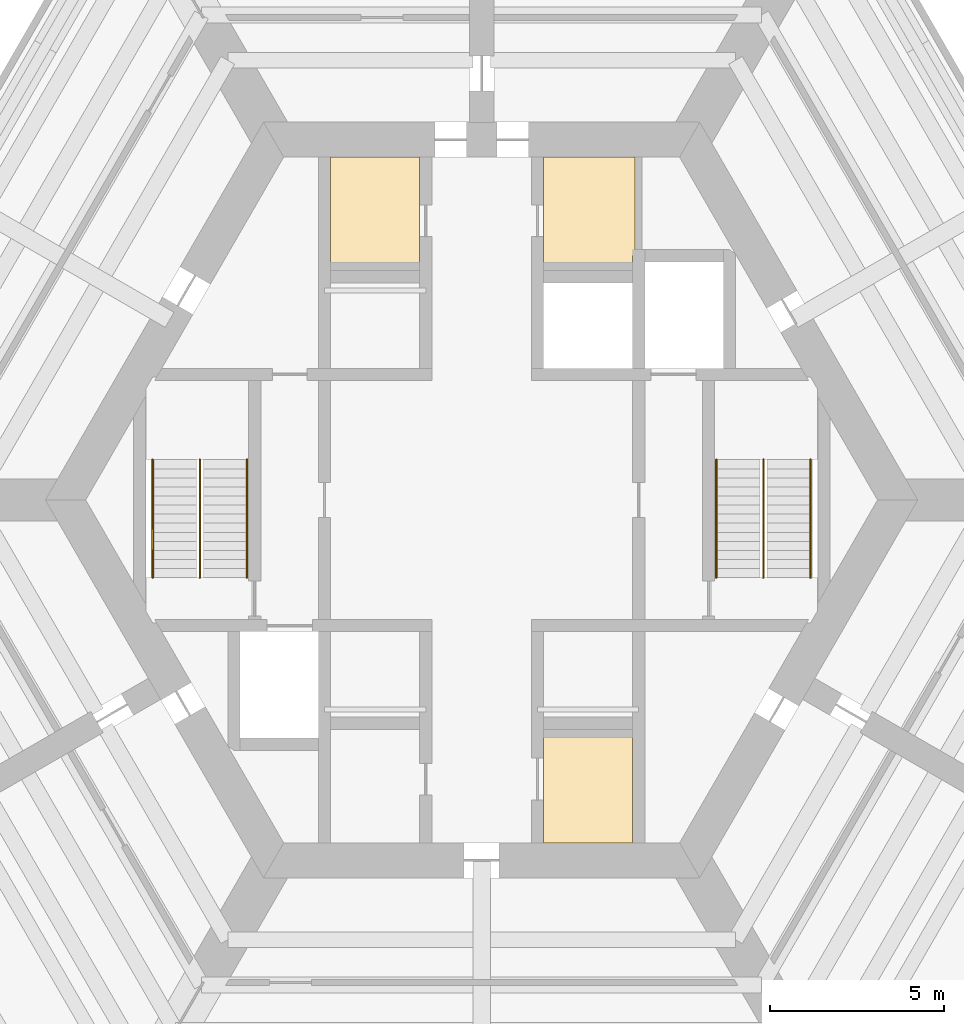
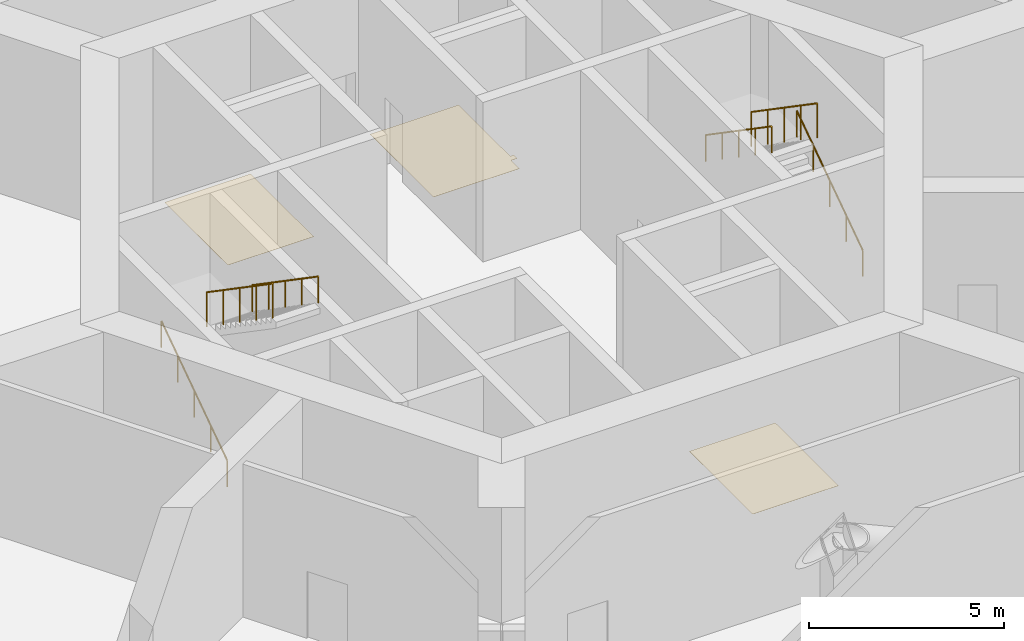
# One storey, part 8 of 8: 6 railings, 3 coverings.
"""IFC4 building model written with IfcOpenShell, lengths in metres."""

from ifc_helpers import new_model, si_unit, direction, frame, origin, origin_2d, place, context, subcontext, project, spatial, polyline, circle, outline, extrude, material, layer, layer_set, type_object, element, save


model = new_model("IFC4")

# Units and contexts
model_context = context("Model", 3, precision=1e-05, world=origin(), true_north=direction((0.0, 1.0)))
body_context = subcontext(model_context, "Body", "Model", "MODEL_VIEW")
ifc_project = project(units=[si_unit("LENGTHUNIT", "METRE"), si_unit("AREAUNIT", "SQUARE_METRE"), si_unit("VOLUMEUNIT", "CUBIC_METRE"), si_unit("PLANEANGLEUNIT", "RADIAN"), si_unit("MASSUNIT", "GRAM", prefix="KILO")], contexts=[model_context])

# Site, building, storey
site_placement = place(None, origin())
site = spatial("IfcSite", under=ifc_project, at=site_placement, CompositionType="ELEMENT")
building_placement = place(site_placement, origin())
building = spatial("IfcBuilding", under=site, at=building_placement, Name="Kasaneha Research Tower", CompositionType="ELEMENT")
storey_placement = place(building_placement, frame((0.0, 0.0, 203.300048828125)))
storey = spatial("IfcBuildingStorey", under=building, at=storey_placement, Name="L51", CompositionType="ELEMENT", Elevation=203.300048828125)

# Railings
ifc_material_1 = material(Name="Steel", Category="steel")
railing_type_1 = type_object("IfcRailingType", Name="Stair balustrade 1100", PredefinedType="GUARDRAIL", material=ifc_material_1)
for number, where, name in (
    (1, (8.074951171875, 1.155029296875, 2.678466796875), "Stair 1 balustrade L51"),
    (2, (-8.074951171875, 1.155029296875, 2.678466796875), "Stair 2 balustrade L51"),
):
    element("IfcRailing", number, at=place(storey_placement, frame(where)), inside=storey, type_object=railing_type_1, Name=name, PredefinedType="GUARDRAIL", context=body_context, shape_type="SweptSolid", body=[
        extrude(circle(Radius=0.02392578125, at=origin_2d()), frame((0.0, 0.0, 1.076171875), z_axis=(0.0, -0.824304150675, 0.566147213346), x_axis=(1.0, 0.0, 0.0)), (0.0, 0.0, 1.0), 4.1005859375),
        extrude(circle(Radius=0.02099609375, at=origin_2d()), origin(), (0.0, 0.0, 1.0), 1.052001953125),
        extrude(circle(Radius=0.02099609375, at=origin_2d()), frame((0.0, -0.844970703125, 0.580322265625)), (0.0, 0.0, 1.0), 1.052001953125),
        extrude(circle(Radius=0.02099609375, at=origin_2d()), frame((0.0, -1.68994140625, 1.16064453125)), (0.0, 0.0, 1.0), 1.052001953125),
        extrude(circle(Radius=0.02099609375, at=origin_2d()), frame((0.0, -2.53515625, 1.7412109375)), (0.0, 0.0, 1.0), 1.052001953125),
        extrude(circle(Radius=0.02099609375, at=origin_2d()), frame((0.0, -3.380126953125, 2.321533203125)), (0.0, 0.0, 1.0), 1.052001953125),
    ])
ifc_material_2 = material(Name="Steel", Category="steel")
railing_type_2 = type_object("IfcRailingType", Name="Stair handrail 850", PredefinedType="HANDRAIL", material=ifc_material_2)
railing_1_placement = place(storey_placement, frame((9.425048828125, -2.22509765625, 0.178466796875)))
element("IfcRailing", 3, at=railing_1_placement, inside=storey, type_object=railing_type_2, Name="Stair 1 handrail L51", PredefinedType="HANDRAIL", context=body_context, shape_type="SweptSolid", body=[
    extrude(circle(Radius=0.02392578125, at=origin_2d()), frame((0.0, 0.0, 0.826171875), z_axis=(0.0, 0.824304150675, 0.566147213346), x_axis=(-1.0, 0.0, 0.0)), (0.0, 0.0, 1.0), 4.1005859375),
    extrude(circle(Radius=0.02099609375, at=origin_2d()), origin(), (0.0, 0.0, 1.0), 0.802001953125),
    extrude(circle(Radius=0.02099609375, at=origin_2d()), frame((0.0, 0.844970703125, 0.580322265625)), (0.0, 0.0, 1.0), 0.802001953125),
    extrude(circle(Radius=0.02099609375, at=origin_2d()), frame((0.0, 1.68994140625, 1.16064453125)), (0.0, 0.0, 1.0), 0.802001953125),
    extrude(circle(Radius=0.02099609375, at=origin_2d()), frame((0.0, 2.53515625, 1.7412109375)), (0.0, 0.0, 1.0), 0.802001953125),
    extrude(circle(Radius=0.02099609375, at=origin_2d()), frame((0.0, 3.380126953125, 2.321533203125)), (0.0, 0.0, 1.0), 0.802001953125),
])
railing_2_placement = place(storey_placement, frame((6.72509765625, 1.155029296875, 2.678466796875)))
element("IfcRailing", 4, at=railing_2_placement, inside=storey, type_object=railing_type_2, Name="Stair 1 handrail L51", PredefinedType="HANDRAIL", context=body_context, shape_type="SweptSolid", body=[
    extrude(circle(Radius=0.02392578125, at=origin_2d()), frame((0.0, 0.0, 0.826171875), z_axis=(0.0, -0.824304150675, 0.566147213346), x_axis=(1.0, 0.0, 0.0)), (0.0, 0.0, 1.0), 4.1005859375),
    extrude(circle(Radius=0.02099609375, at=origin_2d()), origin(), (0.0, 0.0, 1.0), 0.802001953125),
    extrude(circle(Radius=0.02099609375, at=origin_2d()), frame((0.0, -0.844970703125, 0.580322265625)), (0.0, 0.0, 1.0), 0.802001953125),
    extrude(circle(Radius=0.02099609375, at=origin_2d()), frame((0.0, -1.68994140625, 1.16064453125)), (0.0, 0.0, 1.0), 0.802001953125),
    extrude(circle(Radius=0.02099609375, at=origin_2d()), frame((0.0, -2.53515625, 1.7412109375)), (0.0, 0.0, 1.0), 0.802001953125),
    extrude(circle(Radius=0.02099609375, at=origin_2d()), frame((0.0, -3.380126953125, 2.321533203125)), (0.0, 0.0, 1.0), 0.802001953125),
])
railing_3_placement = place(storey_placement, frame((-9.425048828125, -2.22509765625, 0.178466796875)))
element("IfcRailing", 5, at=railing_3_placement, inside=storey, type_object=railing_type_2, Name="Stair 2 handrail L51", PredefinedType="HANDRAIL", context=body_context, shape_type="SweptSolid", body=[
    extrude(circle(Radius=0.02392578125, at=origin_2d()), frame((0.0, 0.0, 0.826171875), z_axis=(0.0, 0.824304150675, 0.566147213346), x_axis=(-1.0, 0.0, 0.0)), (0.0, 0.0, 1.0), 4.1005859375),
    extrude(circle(Radius=0.02099609375, at=origin_2d()), origin(), (0.0, 0.0, 1.0), 0.802001953125),
    extrude(circle(Radius=0.02099609375, at=origin_2d()), frame((0.0, 0.844970703125, 0.580322265625)), (0.0, 0.0, 1.0), 0.802001953125),
    extrude(circle(Radius=0.02099609375, at=origin_2d()), frame((0.0, 1.68994140625, 1.16064453125)), (0.0, 0.0, 1.0), 0.802001953125),
    extrude(circle(Radius=0.02099609375, at=origin_2d()), frame((0.0, 2.53515625, 1.7412109375)), (0.0, 0.0, 1.0), 0.802001953125),
    extrude(circle(Radius=0.02099609375, at=origin_2d()), frame((0.0, 3.380126953125, 2.321533203125)), (0.0, 0.0, 1.0), 0.802001953125),
])
railing_4_placement = place(storey_placement, frame((-6.72509765625, 1.155029296875, 2.678466796875)))
element("IfcRailing", 6, at=railing_4_placement, inside=storey, type_object=railing_type_2, Name="Stair 2 handrail L51", PredefinedType="HANDRAIL", context=body_context, shape_type="SweptSolid", body=[
    extrude(circle(Radius=0.02392578125, at=origin_2d()), frame((0.0, 0.0, 0.826171875), z_axis=(0.0, -0.824304150675, 0.566147213346), x_axis=(1.0, 0.0, 0.0)), (0.0, 0.0, 1.0), 4.1005859375),
    extrude(circle(Radius=0.02099609375, at=origin_2d()), origin(), (0.0, 0.0, 1.0), 0.802001953125),
    extrude(circle(Radius=0.02099609375, at=origin_2d()), frame((0.0, -0.844970703125, 0.580322265625)), (0.0, 0.0, 1.0), 0.802001953125),
    extrude(circle(Radius=0.02099609375, at=origin_2d()), frame((0.0, -1.68994140625, 1.16064453125)), (0.0, 0.0, 1.0), 0.802001953125),
    extrude(circle(Radius=0.02099609375, at=origin_2d()), frame((0.0, -2.53515625, 1.7412109375)), (0.0, 0.0, 1.0), 0.802001953125),
    extrude(circle(Radius=0.02099609375, at=origin_2d()), frame((0.0, -3.380126953125, 2.321533203125)), (0.0, 0.0, 1.0), 0.802001953125),
])

# Coverings
ifc_material_3 = material(Name="Vinyl sheet flooring", Category="plastic")
ifc_layer = layer(ifc_material_3, 0.0048828125)
ifc_layer_set = layer_set([ifc_layer], Name="Wet room sheet flooring 5")
covering_type = type_object("IfcCoveringType", Name="Wet room sheet flooring 5", PredefinedType="FLOORING", material=ifc_layer_set)
covering_1_placement = place(storey_placement, origin())
element("IfcCovering", 7, at=covering_1_placement, inside=storey, type_object=covering_type, Name="Floor finish L51-06", PredefinedType="FLOORING", context=body_context, shape_type="SweptSolid", body=[
    extrude(outline(polyline([(-1.77490234375, 9.824951171875), (-1.77490234375, 6.574951171875), (-4.324951171875, 6.574951171875), (-4.324951171875, 9.824951171875), (-1.77490234375, 9.824951171875)])), origin(), (0.0, 0.0, 1.0), 0.0048828125),
])
covering_2_placement = place(storey_placement, origin())
element("IfcCovering", 8, at=covering_2_placement, inside=storey, type_object=covering_type, Name="Floor finish L51-07", PredefinedType="FLOORING", context=body_context, shape_type="SweptSolid", body=[
    extrude(outline(polyline([(4.39892578125, 9.824951171875), (4.39892578125, 7.175048828125), (4.39892578125, 7.1748046875), (4.39892578125, 7.1748046875), (4.39892578125, 7.1748046875), (4.399169921875, 7.174560546875), (4.399169921875, 7.174560546875), (4.399169921875, 7.174560546875), (4.399169921875, 7.17431640625), (4.399169921875, 7.17431640625), (4.3994140625, 7.17431640625), (4.3994140625, 7.174072265625), (4.3994140625, 7.174072265625), (4.399658203125, 7.174072265625), (4.399658203125, 7.174072265625), (4.39990234375, 7.174072265625), (4.39990234375, 7.174072265625), (4.39990234375, 7.174072265625), (4.5, 7.174072265625), (4.5, 7.0), (4.324951171875, 7.0), (4.324951171875, 6.574951171875), (1.77490234375, 6.574951171875), (1.77490234375, 9.824951171875), (4.39892578125, 9.824951171875)])), origin(), (0.0, 0.0, 1.0), 0.0048828125),
])
covering_3_placement = place(storey_placement, origin())
element("IfcCovering", 9, at=covering_3_placement, inside=storey, type_object=covering_type, Name="Floor finish L51-09", PredefinedType="FLOORING", context=body_context, shape_type="SweptSolid", body=[
    extrude(outline(polyline([(1.77490234375, -9.824951171875), (1.77490234375, -6.574951171875), (4.324951171875, -6.574951171875), (4.324951171875, -9.824951171875), (1.77490234375, -9.824951171875)])), origin(), (0.0, 0.0, 1.0), 0.0048828125),
])

save(model, "model.ifc")
